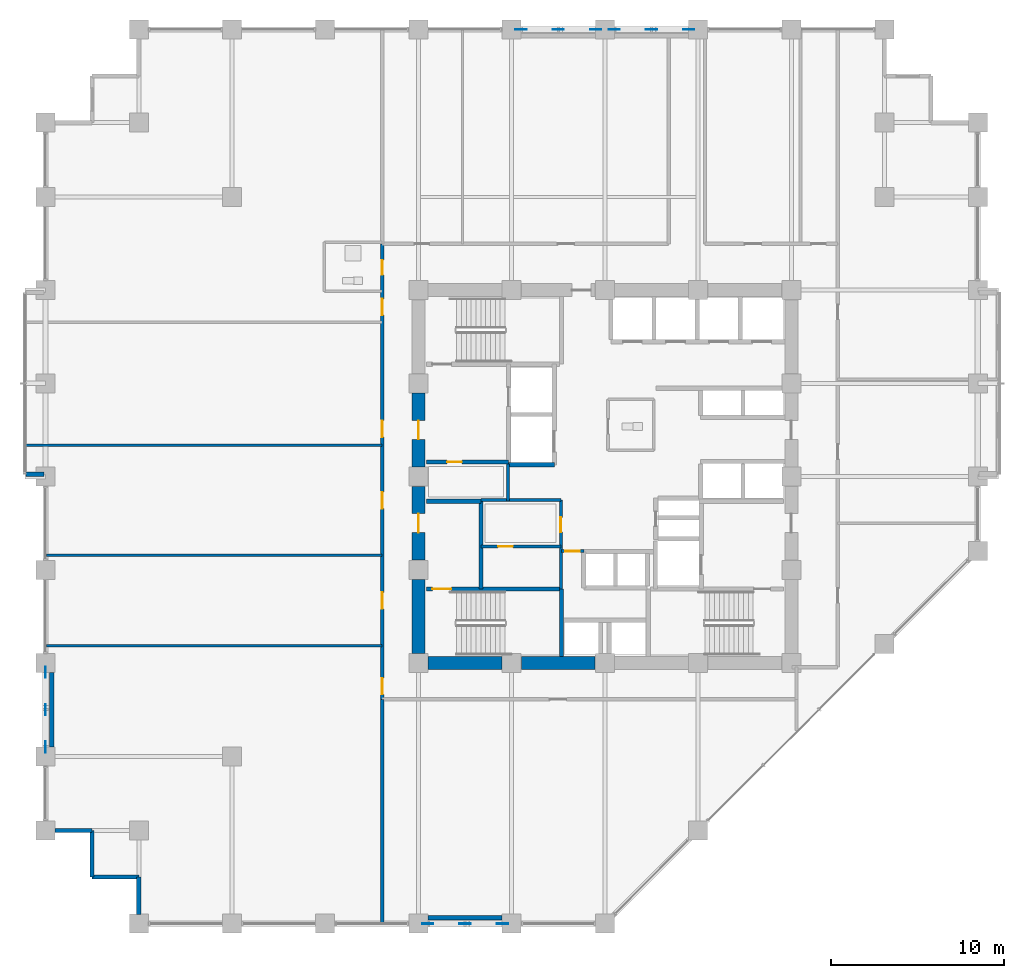
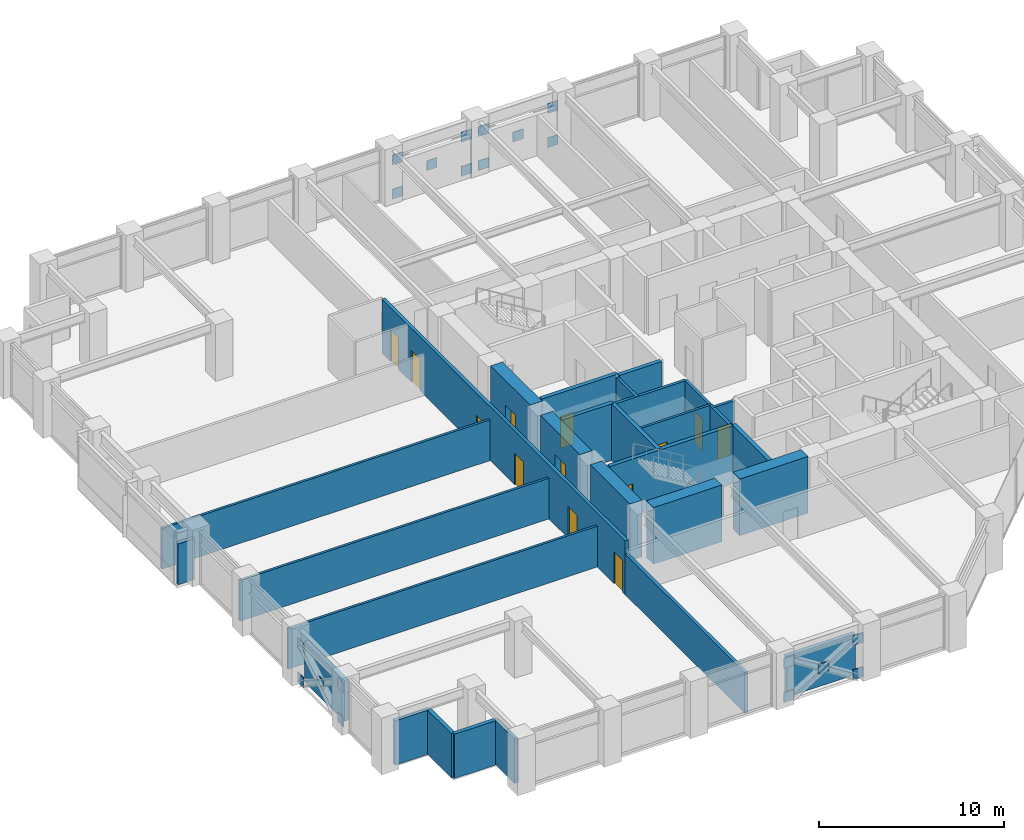
# One storey, part 19 of 25: 28 walls, 20 plates, 13 doors, 13 openings.
"""IFC4 building model written with IfcOpenShell, lengths in metres."""

from ifc_helpers import new_model, si_unit, direction, frame, frame_2d, origin, origin_2d, place, context, subcontext, project, spatial, rectangle, extrude, material, layer, layer_set, type_object, element, fill, save


model = new_model("IFC4")

# Units and contexts
model_context = context("Model", 3, precision=1e-05, world=origin(), true_north=direction((0.0, 1.0)))
body_context = subcontext(model_context, "Body", "Model", "MODEL_VIEW")
ifc_project = project(units=[si_unit("LENGTHUNIT", "METRE"), si_unit("AREAUNIT", "SQUARE_METRE"), si_unit("VOLUMEUNIT", "CUBIC_METRE"), si_unit("PLANEANGLEUNIT", "RADIAN"), si_unit("MASSUNIT", "GRAM", prefix="KILO")], contexts=[model_context])

# Site, building, storey
site_placement = place(None, origin())
site = spatial("IfcSite", under=ifc_project, at=site_placement, CompositionType="ELEMENT")
building_placement = place(site_placement, origin())
building = spatial("IfcBuilding", under=site, at=building_placement, Name="Surkhivell Harbour Commons", CompositionType="ELEMENT")
storey_placement = place(building_placement, frame((0.0, 0.0, 98.25)))
storey = spatial("IfcBuildingStorey", under=building, at=storey_placement, Name="L25", CompositionType="ELEMENT", Elevation=98.25)

# Plates
ifc_material_1 = material(Name="Steel S460", Category="steel")
ifc_layer_1 = layer(ifc_material_1, 0.044921875)
ifc_layer_set_1 = layer_set([ifc_layer_1], Name="Steel S460")
plate_type = type_object("IfcPlateType", Name="PLT-GUS-650", PredefinedType="USERDEFINED", material=ifc_layer_set_1)
for number, where, z_axis, x_axis, name in (
    (1, (-4.864990234375, 25.89990234375, -0.08935546875), (0.0, 0.0, 1.0), (1.0, 0.0, 0.0), "L25 Perimeter Mega-Brace MB- Corner Gusset N-1"),
    (2, (-0.534912109375, 25.89990234375, -0.08935546875), (0.0, 0.0, 1.0), (1.0, 0.0, 0.0), "L25 Perimeter Mega-Brace MB- Corner Gusset N-2"),
    (3, (-4.864990234375, 25.89990234375, 2.170654296875), (0.0, 0.0, 1.0), (1.0, 0.0, 0.0), "L25 Perimeter Mega-Brace MB- Corner Gusset N-3"),
    (4, (-0.534912109375, 25.89990234375, 2.170654296875), (0.0, 0.0, 1.0), (1.0, 0.0, 0.0), "L25 Perimeter Mega-Brace MB- Corner Gusset N-4"),
    (5, (-2.699951171875, 25.89990234375, 1.04052734375), (0.0, 0.0, 1.0), (1.0, 0.0, 0.0), "L25 Perimeter Mega-Brace MB- Central Crossing Gusset N"),
    (6, (0.534912109375, 25.89990234375, -0.08935546875), (0.0, 0.0, 1.0), (1.0, 0.0, 0.0), "L25 Perimeter Mega-Brace MB- Corner Gusset N2-1"),
    (7, (4.864990234375, 25.89990234375, -0.08935546875), (0.0, 0.0, 1.0), (1.0, 0.0, 0.0), "L25 Perimeter Mega-Brace MB- Corner Gusset N2-2"),
    (8, (0.534912109375, 25.89990234375, 2.170654296875), (0.0, 0.0, 1.0), (1.0, 0.0, 0.0), "L25 Perimeter Mega-Brace MB- Corner Gusset N2-3"),
    (9, (4.864990234375, 25.89990234375, 2.170654296875), (0.0, 0.0, 1.0), (1.0, 0.0, 0.0), "L25 Perimeter Mega-Brace MB- Corner Gusset N2-4"),
    (10, (2.699951171875, 25.89990234375, 1.04052734375), (0.0, 0.0, 1.0), (1.0, 0.0, 0.0), "L25 Perimeter Mega-Brace MB- Central Crossing Gusset N2"),
    (11, (-10.264892578125, -25.89990234375, -0.08935546875), (0.0, 0.0, 1.0), (1.0, 0.0, 0.0), "L25 Perimeter Mega-Brace MB- Corner Gusset S-1"),
    (12, (-5.93505859375, -25.89990234375, -0.08935546875), (0.0, 0.0, 1.0), (1.0, 0.0, 0.0), "L25 Perimeter Mega-Brace MB- Corner Gusset S-2"),
    (13, (-10.264892578125, -25.89990234375, 2.170654296875), (0.0, 0.0, 1.0), (1.0, 0.0, 0.0), "L25 Perimeter Mega-Brace MB- Corner Gusset S-3"),
    (14, (-5.93505859375, -25.89990234375, 2.170654296875), (0.0, 0.0, 1.0), (1.0, 0.0, 0.0), "L25 Perimeter Mega-Brace MB- Corner Gusset S-4"),
    (15, (-8.10009765625, -25.89990234375, 1.04052734375), (0.0, 0.0, 1.0), (1.0, 0.0, 0.0), "L25 Perimeter Mega-Brace MB- Central Crossing Gusset S"),
    (16, (-32.39990234375, -15.6650390625, -0.08935546875), (0.0, 0.0, 1.0), (0.0, 1.0, 0.0), "L25 Perimeter Mega-Brace MB- Corner Gusset W-1"),
    (17, (-32.39990234375, -11.3349609375, -0.08935546875), (0.0, 0.0, 1.0), (0.0, 1.0, 0.0), "L25 Perimeter Mega-Brace MB- Corner Gusset W-2"),
    (18, (-32.39990234375, -15.6650390625, 2.170654296875), (0.0, 0.0, 1.0), (0.0, 1.0, 0.0), "L25 Perimeter Mega-Brace MB- Corner Gusset W-3"),
    (19, (-32.39990234375, -11.3349609375, 2.170654296875), (0.0, 0.0, 1.0), (0.0, 1.0, 0.0), "L25 Perimeter Mega-Brace MB- Corner Gusset W-4"),
    (20, (-32.39990234375, -13.5, 1.04052734375), (0.0, 0.0, 1.0), (0.0, 1.0, 0.0), "L25 Perimeter Mega-Brace MB- Central Crossing Gusset W"),
):
    element("IfcPlate", number, at=place(storey_placement, frame(where, z_axis=z_axis, x_axis=x_axis)), inside=storey, type_object=plate_type, Name=name, ObjectType="GUSSET_PLATE", PredefinedType="USERDEFINED", context=body_context, shape_type="SweptSolid", body=[
        extrude(rectangle(XDim=0.64990234375, YDim=0.044921875, at=origin_2d()), origin(), (0.0, 0.0, 1.0), 0.64990234375),
    ])

# Walls
ifc_material_2 = material(Name="Concrete C60/75", Category="concrete")
ifc_layer_2 = layer(ifc_material_2, 0.75)
ifc_layer_set_2 = layer_set([ifc_layer_2], Name="Concrete C60/75")
wall_type_1 = type_object("IfcWallType", Name="WAL-CORE-750", PredefinedType="SHEAR", material=ifc_layer_set_2)
for number, where, z_axis, x_axis, name in (
    (21, (-10.239990234375, -10.800048828125, 0.0), (0.0, 0.0, 1.0), (1.0, 0.0, 0.0), "L25 Core Shear Wall South 1"),
    (22, (-10.800048828125, -10.239990234375, 0.0), (0.0, 0.0, 1.0), (0.0, 1.0, 0.0), "L25 Core Shear Wall West 1"),
    (23, (-4.840087890625, -10.800048828125, 0.0), (0.0, 0.0, 1.0), (1.0, 0.0, 0.0), "L25 Core Shear Wall South 2"),
):
    element("IfcWall", number, at=place(storey_placement, frame(where, z_axis=z_axis, x_axis=x_axis)), inside=storey, type_object=wall_type_1, Name=name, PredefinedType="SHEAR", context=body_context, shape_type="SweptSolid", body=[
        extrude(rectangle(XDim=4.280029296875, YDim=0.75, at=frame_2d((2.14013671875, 0.0))), origin(), (0.0, 0.0, 1.0), 3.75),
    ])

# Wall, opening, door
wall_1_placement = place(storey_placement, frame((-10.800048828125, -4.840087890625, 0.0), z_axis=(0.0, 0.0, 1.0), x_axis=(0.0, 1.0, 0.0)))
wall_1 = element("IfcWall", 24, at=wall_1_placement, inside=storey, type_object=wall_type_1, Name="L25 Core Shear Wall West 2", PredefinedType="SHEAR", context=body_context, shape_type="SweptSolid", body=[
    extrude(rectangle(XDim=4.280029296875, YDim=0.75, at=frame_2d((2.14013671875, 0.0))), origin(), (0.0, 0.0, 1.0), 3.75),
])
opening_1_placement = place(wall_1_placement, frame((1.590087890625, 0.0, 0.0)))
opening_1 = element("IfcOpeningElement", 25, at=opening_1_placement, cuts=wall_1, Name="Opening ID-2", PredefinedType="OPENING", context=body_context, shape_type="SweptSolid", body=[
    extrude(rectangle(XDim=1.10009765625, YDim=2.10009765625, at=frame_2d((0.550048828125, 1.050048828125))), frame((0.0, 0.385009765625, 0.0), z_axis=(0.0, -1.0, 0.0), x_axis=(1.0, 0.0, 0.0)), (0.0, 0.0, 1.0), 0.77001953125),
])
ifc_material_3 = material(Name="Hardwood-veneered fire-rated door leaf", Category="wood")
door_type_1 = type_object("IfcDoorType", Name="DOR-FD60-1100", OperationType="NOTDEFINED", PredefinedType="DOOR", material=ifc_material_3)
door_1_placement = place(opening_1_placement, origin())
door_1 = element("IfcDoor", 26, at=door_1_placement, inside=storey, type_object=door_type_1, Name="L25 Stair 3 Lobby Corridor Door", OperationType="SINGLE_SWING_LEFT", OverallHeight=2.10009765625, OverallWidth=1.10009765625, PredefinedType="DOOR", context=body_context, shape_type="SweptSolid", body=[
    extrude(rectangle(XDim=1.10009765625, YDim=2.10009765625, at=frame_2d((0.550048828125, 1.050048828125))), frame((0.0, 0.02490234375, 0.0), z_axis=(0.0, -1.0, 0.0), x_axis=(1.0, 0.0, 0.0)), (0.0, 0.0, 1.0), 0.050048828125),
])
fill(opening_1, door_1)

wall_2_placement = place(storey_placement, frame((-10.800048828125, 0.56005859375, 0.0), z_axis=(0.0, 0.0, 1.0), x_axis=(0.0, 1.0, 0.0)))
wall_2 = element("IfcWall", 27, at=wall_2_placement, inside=storey, type_object=wall_type_1, Name="L25 Core Shear Wall West 3", PredefinedType="SHEAR", context=body_context, shape_type="SweptSolid", body=[
    extrude(rectangle(XDim=4.280029296875, YDim=0.75, at=frame_2d((2.14013671875, 0.0))), origin(), (0.0, 0.0, 1.0), 3.75),
])
opening_2_placement = place(wall_2_placement, frame((1.590087890625, 0.0, 0.0)))
opening_2 = element("IfcOpeningElement", 28, at=opening_2_placement, cuts=wall_2, Name="Opening ID-1", PredefinedType="OPENING", context=body_context, shape_type="SweptSolid", body=[
    extrude(rectangle(XDim=1.10009765625, YDim=2.10009765625, at=frame_2d((0.550048828125, 1.050048828125))), frame((0.0, 0.385009765625, 0.0), z_axis=(0.0, -1.0, 0.0), x_axis=(1.0, 0.0, 0.0)), (0.0, 0.0, 1.0), 0.77001953125),
])
door_type_2 = type_object("IfcDoorType", Name="DOR-FD120-1100", OperationType="NOTDEFINED", PredefinedType="DOOR", material=ifc_material_3)
door_2_placement = place(opening_2_placement, origin())
door_2 = element("IfcDoor", 29, at=door_2_placement, inside=storey, type_object=door_type_2, Name="L25 Firefighting Lobby 1 Corridor Door", OperationType="SINGLE_SWING_LEFT", OverallHeight=2.10009765625, OverallWidth=1.10009765625, PredefinedType="DOOR", context=body_context, shape_type="SweptSolid", body=[
    extrude(rectangle(XDim=1.10009765625, YDim=2.10009765625, at=frame_2d((0.550048828125, 1.050048828125))), frame((0.0, 0.02490234375, 0.0), z_axis=(0.0, -1.0, 0.0), x_axis=(1.0, 0.0, 0.0)), (0.0, 0.0, 1.0), 0.050048828125),
])
fill(opening_2, door_2)

# Walls
ifc_material_4 = material(Name="Pale-metal insulated precast concrete C45/55", Category="concrete")
ifc_layer_3 = layer(ifc_material_4, 0.260009765625)
ifc_layer_set_3 = layer_set([ifc_layer_3], Name="Pale-metal insulated precast concrete C45/55")
wall_type_2 = type_object("IfcWallType", Name="WAL-EXT-MTL260", PredefinedType="STANDARD", material=ifc_layer_set_3)
wall_3_placement = place(storey_placement, frame((-10.251953125, -25.5400390625, 0.0), z_axis=(0.0, 0.0, 1.0), x_axis=(1.0, 0.0, 0.0)))
element("IfcWall", 30, at=wall_3_placement, inside=storey, type_object=wall_type_2, Name="L25 Braced-Bay Insulated Spandrel Backing S", PredefinedType="STANDARD", context=body_context, shape_type="SweptSolid", body=[
    extrude(rectangle(XDim=4.303955078125, YDim=0.260009765625, at=frame_2d((2.15185546875, 0.0))), origin(), (0.0, 0.0, 1.0), 2.698974609375),
])
wall_4_placement = place(storey_placement, frame((-32.0400390625, -15.652099609375, 0.0), z_axis=(0.0, 0.0, 1.0), x_axis=(0.0, 1.0, 0.0)))
element("IfcWall", 31, at=wall_4_placement, inside=storey, type_object=wall_type_2, Name="L25 Braced-Bay Insulated Spandrel Backing W", PredefinedType="STANDARD", context=body_context, shape_type="SweptSolid", body=[
    extrude(rectangle(XDim=4.30419921875, YDim=0.260009765625, at=frame_2d((2.152099609375, 0.0))), origin(), (0.0, 0.0, 1.0), 2.698974609375),
])
ifc_material_5 = material(Name="Bronze-ochre cassette precast concrete C45/55", Category="concrete")
ifc_layer_4 = layer(ifc_material_5, 0.239990234375)
ifc_layer_set_4 = layer_set([ifc_layer_4], Name="Bronze-ochre cassette precast concrete C45/55")
wall_type_3 = type_object("IfcWallType", Name="WAL-EXT-OCH240", PredefinedType="STANDARD", material=ifc_layer_set_4)
wall_5_placement = place(storey_placement, frame((-33.52001953125, 0.139892578125, 0.0), z_axis=(0.0, 0.0, 1.0), x_axis=(1.0, 0.0, 0.0)))
element("IfcWall", 32, at=wall_5_placement, inside=storey, type_object=wall_type_3, Name="L25 Coloured Box Return Wall 02S", PredefinedType="STANDARD", context=body_context, shape_type="SweptSolid", body=[
    extrude(rectangle(XDim=1.0400390625, YDim=0.239990234375, at=frame_2d((0.52001953125, 0.0))), origin(), (0.0, 0.0, 1.0), 2.698974609375),
])
wall_6_placement = place(storey_placement, frame((-31.85205078125, -20.5, 0.0), z_axis=(0.0, 0.0, 1.0), x_axis=(1.0, 0.0, 0.0)))
element("IfcWall", 33, at=wall_6_placement, inside=storey, type_object=wall_type_3, Name="L25 Serrated Corner Facade Wall 13", PredefinedType="STANDARD", context=body_context, shape_type="SweptSolid", body=[
    extrude(rectangle(XDim=2.152099609375, YDim=0.239990234375, at=frame_2d((1.076171875, 0.0))), origin(), (0.0, 0.0, 1.0), 2.93310546875),
])
for number, where, z_axis, x_axis, name in (
    (34, (-29.699951171875, -20.5, 0.0), (0.0, 0.0, 1.0), (0.0, -1.0, 0.0), "L25 Serrated Corner Facade Wall 14"),
    (35, (-29.699951171875, -23.199951171875, 0.0), (0.0, 0.0, 1.0), (1.0, 0.0, 0.0), "L25 Serrated Corner Facade Wall 15"),
):
    element("IfcWall", number, at=place(storey_placement, frame(where, z_axis=z_axis, x_axis=x_axis)), inside=storey, type_object=wall_type_3, Name=name, PredefinedType="STANDARD", context=body_context, shape_type="SweptSolid", body=[
        extrude(rectangle(XDim=2.699951171875, YDim=0.239990234375, at=frame_2d((1.35009765625, 0.0))), origin(), (0.0, 0.0, 1.0), 2.93310546875),
    ])
wall_7_placement = place(storey_placement, frame((-27.0, -23.199951171875, 0.0), z_axis=(0.0, 0.0, 1.0), x_axis=(0.0, -1.0, 0.0)))
element("IfcWall", 36, at=wall_7_placement, inside=storey, type_object=wall_type_3, Name="L25 Serrated Corner Facade Wall 16", PredefinedType="STANDARD", context=body_context, shape_type="SweptSolid", body=[
    extrude(rectangle(XDim=2.152099609375, YDim=0.239990234375, at=frame_2d((1.076171875, 0.0))), origin(), (0.0, 0.0, 1.0), 2.93310546875),
])

# Wall, opening, door
ifc_material_6 = material(Name="Twin-stud acoustic fireboard partition", Category="other")
ifc_layer_5 = layer(ifc_material_6, 0.14990234375)
ifc_layer_set_5 = layer_set([ifc_layer_5], Name="Twin-stud acoustic fireboard partition")
wall_type_4 = type_object("IfcWallType", Name="WAL-INT-150", PredefinedType="PARTITIONING", material=ifc_layer_set_5)
wall_8_placement = place(storey_placement, frame((-7.179931640625, -4.050048828125, 0.0), z_axis=(0.0, 0.0, 1.0), x_axis=(1.0, 0.0, 0.0)))
wall_8 = element("IfcWall", 37, at=wall_8_placement, inside=storey, type_object=wall_type_4, Name="L25 Core Cut A Partition", PredefinedType="PARTITIONING", context=body_context, shape_type="SweptSolid", body=[
    extrude(rectangle(XDim=4.6298828125, YDim=0.14990234375, at=frame_2d((2.31494140625, 0.0))), origin(), (0.0, 0.0, 1.0), 3.570068359375),
])
opening_3_placement = place(wall_8_placement, frame((1.0, 0.0, 0.0)))
opening_3 = element("IfcOpeningElement", 38, at=opening_3_placement, cuts=wall_8, Name="Opening ID-6", PredefinedType="OPENING", context=body_context, shape_type="SweptSolid", body=[
    extrude(rectangle(XDim=0.85009765625, YDim=2.10009765625, at=frame_2d((0.425048828125, 1.050048828125))), frame((0.0, 0.0849609375, 0.0), z_axis=(0.0, -1.0, 0.0), x_axis=(1.0, 0.0, 0.0)), (0.0, 0.0, 1.0), 0.169921875),
])
door_type_3 = type_object("IfcDoorType", Name="DOR-FD30-850", OperationType="NOTDEFINED", PredefinedType="DOOR", material=ifc_material_3)
door_3_placement = place(opening_3_placement, origin())
door_3 = element("IfcDoor", 39, at=door_3_placement, inside=storey, type_object=door_type_3, Name="L25 Linen Room Door", OperationType="SINGLE_SWING_RIGHT", OverallHeight=2.10009765625, OverallWidth=0.85009765625, PredefinedType="DOOR", context=body_context, shape_type="SweptSolid", body=[
    extrude(rectangle(XDim=0.85009765625, YDim=2.10009765625, at=frame_2d((0.425048828125, 1.050048828125))), frame((0.0, 0.02490234375, 0.0), z_axis=(0.0, -1.0, 0.0), x_axis=(1.0, 0.0, 0.0)), (0.0, 0.0, 1.0), 0.050048828125),
])
fill(opening_3, door_3)

# Walls
wall_9_placement = place(storey_placement, frame((-32.340087890625, -4.56005859375, 0.0), z_axis=(0.0, 0.0, 1.0), x_axis=(1.0, 0.0, 0.0)))
element("IfcWall", 40, at=wall_9_placement, inside=storey, type_object=wall_type_4, Name="L25 West Partition BDP1", PredefinedType="PARTITIONING", context=body_context, shape_type="SweptSolid", body=[
    extrude(rectangle(XDim=19.440185546875, YDim=0.14990234375, at=frame_2d((9.72021484375, 0.0))), origin(), (0.0, 0.0, 1.0), 2.698974609375),
])
wall_10_placement = place(storey_placement, frame((-33.5400390625, 1.81005859375, 0.0), z_axis=(0.0, 0.0, 1.0), x_axis=(1.0, 0.0, 0.0)))
element("IfcWall", 41, at=wall_10_placement, inside=storey, type_object=wall_type_4, Name="L25 West Partition BDP2", PredefinedType="PARTITIONING", context=body_context, shape_type="SweptSolid", body=[
    extrude(rectangle(XDim=20.64013671875, YDim=0.14990234375, at=frame_2d((10.320068359375, 0.0))), origin(), (0.0, 0.0, 1.0), 2.698974609375),
])
wall_11_placement = place(storey_placement, frame((-32.340087890625, -9.800048828125, 0.0), z_axis=(0.0, 0.0, 1.0), x_axis=(1.0, 0.0, 0.0)))
element("IfcWall", 42, at=wall_11_placement, inside=storey, type_object=wall_type_4, Name="L25 West Partition PBOT", PredefinedType="PARTITIONING", context=body_context, shape_type="SweptSolid", body=[
    extrude(rectangle(XDim=19.440185546875, YDim=0.14990234375, at=frame_2d((9.72021484375, 0.0))), origin(), (0.0, 0.0, 1.0), 2.698974609375),
])

# Wall, opening, door
ifc_material_7 = material(Name="High-density acoustic blockwork fire partition", Category="masonry")
ifc_layer_6 = layer(ifc_material_7, 0.175048828125)
ifc_layer_set_6 = layer_set([ifc_layer_6], Name="High-density acoustic blockwork fire partition")
wall_type_5 = type_object("IfcWallType", Name="WAL-INT-175", PredefinedType="PARTITIONING", material=ifc_layer_set_6)
wall_12_placement = place(storey_placement, frame((-2.550048828125, -6.510009765625, 0.0), z_axis=(0.0, 0.0, 1.0), x_axis=(0.0, 1.0, 0.0)))
wall_12 = element("IfcWall", 43, at=wall_12_placement, inside=storey, type_object=wall_type_5, Name="L25 Core Service Bay East Wall", PredefinedType="PARTITIONING", context=body_context, shape_type="SweptSolid", body=[
    extrude(rectangle(XDim=5.159912109375, YDim=0.175048828125, at=frame_2d((2.580078125, 0.0))), origin(), (0.0, 0.0, 1.0), 3.570068359375),
])
opening_4_placement = place(wall_12_placement, frame((3.300048828125, 0.0, 0.0)))
opening_4 = element("IfcOpeningElement", 44, at=opening_4_placement, cuts=wall_12, Name="Opening ID-6", PredefinedType="OPENING", context=body_context, shape_type="SweptSolid", body=[
    extrude(rectangle(XDim=0.85009765625, YDim=2.10009765625, at=frame_2d((0.425048828125, 1.050048828125))), frame((0.0, 0.097412109375, 0.0), z_axis=(0.0, -1.0, 0.0), x_axis=(1.0, 0.0, 0.0)), (0.0, 0.0, 1.0), 0.195068359375),
])
door_4_placement = place(opening_4_placement, origin())
door_4 = element("IfcDoor", 45, at=door_4_placement, inside=storey, type_object=door_type_3, Name="L25 Core Reading Alcove Door", OperationType="SINGLE_SWING_LEFT", OverallHeight=2.10009765625, OverallWidth=0.85009765625, PredefinedType="DOOR", context=body_context, shape_type="SweptSolid", body=[
    extrude(rectangle(XDim=0.85009765625, YDim=2.10009765625, at=frame_2d((0.425048828125, 1.050048828125))), frame((0.0, 0.02490234375, 0.0), z_axis=(0.0, -1.0, 0.0), x_axis=(1.0, 0.0, 0.0)), (0.0, 0.0, 1.0), 0.050048828125),
])
fill(opening_4, door_4)

# Walls
wall_13_placement = place(storey_placement, frame((-7.179931640625, -1.35009765625, 0.0), z_axis=(0.0, 0.0, 1.0), x_axis=(1.0, 0.0, 0.0)))
element("IfcWall", 46, at=wall_13_placement, inside=storey, type_object=wall_type_5, Name="L25 Core Service Bay North Wall", PredefinedType="PARTITIONING", context=body_context, shape_type="SweptSolid", body=[
    extrude(rectangle(XDim=4.6298828125, YDim=0.175048828125, at=frame_2d((2.31494140625, 0.0))), origin(), (0.0, 0.0, 1.0), 3.570068359375),
])
wall_14_placement = place(storey_placement, frame((-5.6201171875, -1.419921875, 0.0), z_axis=(0.0, 0.0, 1.0), x_axis=(0.0, 1.0, 0.0)))
element("IfcWall", 47, at=wall_14_placement, inside=storey, type_object=wall_type_5, Name="L25 West Core Bay East Wall", PredefinedType="PARTITIONING", context=body_context, shape_type="SweptSolid", body=[
    extrude(rectangle(XDim=2.139892578125, YDim=0.175048828125, at=frame_2d((1.06982421875, 0.0))), origin(), (0.0, 0.0, 1.0), 3.570068359375),
])

# Wall, opening, door
wall_15_placement = place(storey_placement, frame((-2.52001953125, -4.320068359375, 0.0), z_axis=(0.0, 0.0, 1.0), x_axis=(1.0, 0.0, 0.0)))
wall_15 = element("IfcWall", 48, at=wall_15_placement, inside=storey, type_object=wall_type_5, Name="L25 High-Rise Lobby North Portal Wall", PredefinedType="PARTITIONING", context=body_context, shape_type="SweptSolid", body=[
    extrude(rectangle(XDim=1.300048828125, YDim=0.175048828125, at=frame_2d((0.64990234375, 0.0))), origin(), (0.0, 0.0, 1.0), 3.570068359375),
])
opening_5_placement = place(wall_15_placement, frame((0.219970703125, 0.0, 0.0)))
opening_5 = element("IfcOpeningElement", 49, at=opening_5_placement, cuts=wall_15, Name="Opening ID-6", PredefinedType="OPENING", context=body_context, shape_type="SweptSolid", body=[
    extrude(rectangle(XDim=0.85009765625, YDim=2.10009765625, at=frame_2d((0.425048828125, 1.050048828125))), frame((0.0, 0.097412109375, 0.0), z_axis=(0.0, -1.0, 0.0), x_axis=(1.0, 0.0, 0.0)), (0.0, 0.0, 1.0), 0.195068359375),
])
door_5_placement = place(opening_5_placement, origin())
door_5 = element("IfcDoor", 50, at=door_5_placement, inside=storey, type_object=door_type_3, Name="L25 High-Rise Lift Lobby North Door", OperationType="SINGLE_SWING_LEFT", OverallHeight=2.10009765625, OverallWidth=0.85009765625, PredefinedType="DOOR", context=body_context, shape_type="SweptSolid", body=[
    extrude(rectangle(XDim=0.85009765625, YDim=2.10009765625, at=frame_2d((0.425048828125, 1.050048828125))), frame((0.0, 0.02490234375, 0.0), z_axis=(0.0, -1.0, 0.0), x_axis=(1.0, 0.0, 0.0)), (0.0, 0.0, 1.0), 0.050048828125),
])
fill(opening_5, door_5)

# Wall
ifc_material_8 = material(Name="Autoclaved aerated concrete blockwork and fire plaster", Category="masonry")
ifc_layer_7 = layer(ifc_material_8, 0.199951171875)
ifc_layer_set_7 = layer_set([ifc_layer_7], Name="Autoclaved aerated concrete blockwork and fire plaster")
wall_type_6 = type_object("IfcWallType", Name="WAL-INT-200", PredefinedType="PARTITIONING", material=ifc_layer_set_7)
wall_16_placement = place(storey_placement, frame((-12.89990234375, -25.840087890625, 0.0), z_axis=(0.0, 0.0, 1.0), x_axis=(0.0, 1.0, 0.0)))
element("IfcWall", 51, at=wall_16_placement, inside=storey, type_object=wall_type_6, Name="L25 South-West Wing Corner Divider", PredefinedType="PARTITIONING", context=body_context, shape_type="SweptSolid", body=[
    extrude(rectangle(XDim=12.940185546875, YDim=0.199951171875, at=frame_2d((6.47021484375, 0.0))), origin(), (0.0, 0.0, 1.0), 2.698974609375),
])

# Wall, openings, doors
wall_17_placement = place(storey_placement, frame((-12.89990234375, -12.89990234375, 0.0), z_axis=(0.0, 0.0, 1.0), x_axis=(0.0, 1.0, 0.0)))
wall_17 = element("IfcWall", 52, at=wall_17_placement, inside=storey, type_object=wall_type_6, Name="L25 Corridor West Wall", PredefinedType="PARTITIONING", context=body_context, shape_type="SweptSolid", body=[
    extrude(rectangle(XDim=26.3798828125, YDim=0.199951171875, at=frame_2d((13.18994140625, 0.0))), origin(), (0.0, 0.0, 1.0), 3.570068359375),
])
opening_6_placement = place(wall_17_placement, frame((0.280029296875, 0.0, 0.0)))
opening_6 = element("IfcOpeningElement", 53, at=opening_6_placement, cuts=wall_17, Name="Opening ID-4", PredefinedType="OPENING", context=body_context, shape_type="SweptSolid", body=[
    extrude(rectangle(XDim=0.949951171875, YDim=2.10009765625, at=frame_2d((0.47509765625, 1.050048828125))), frame((0.0, 0.10986328125, 0.0), z_axis=(0.0, -1.0, 0.0), x_axis=(1.0, 0.0, 0.0)), (0.0, 0.0, 1.0), 0.219970703125),
])
opening_7_placement = place(wall_17_placement, frame((24.5849609375, 0.0, 0.0)))
opening_7 = element("IfcOpeningElement", 54, at=opening_7_placement, cuts=wall_17, Name="Opening ID-6", PredefinedType="OPENING", context=body_context, shape_type="SweptSolid", body=[
    extrude(rectangle(XDim=0.85009765625, YDim=2.10009765625, at=frame_2d((0.425048828125, 1.050048828125))), frame((0.0, 0.10986328125, 0.0), z_axis=(0.0, -1.0, 0.0), x_axis=(1.0, 0.0, 0.0)), (0.0, 0.0, 1.0), 0.219970703125),
])
opening_8_placement = place(wall_17_placement, frame((22.25, 0.0, 0.0)))
opening_8 = element("IfcOpeningElement", 55, at=opening_8_placement, cuts=wall_17, Name="Opening ID-4", PredefinedType="OPENING", context=body_context, shape_type="SweptSolid", body=[
    extrude(rectangle(XDim=0.949951171875, YDim=2.10009765625, at=frame_2d((0.47509765625, 1.050048828125))), frame((0.0, 0.10986328125, 0.0), z_axis=(0.0, -1.0, 0.0), x_axis=(1.0, 0.0, 0.0)), (0.0, 0.0, 1.0), 0.219970703125),
])
opening_9_placement = place(wall_17_placement, frame((5.239990234375, 0.0, 0.0)))
opening_9 = element("IfcOpeningElement", 56, at=opening_9_placement, cuts=wall_17, Name="Opening ID-4", PredefinedType="OPENING", context=body_context, shape_type="SweptSolid", body=[
    extrude(rectangle(XDim=0.949951171875, YDim=2.10009765625, at=frame_2d((0.47509765625, 1.050048828125))), frame((0.0, 0.10986328125, 0.0), z_axis=(0.0, -1.0, 0.0), x_axis=(1.0, 0.0, 0.0)), (0.0, 0.0, 1.0), 0.219970703125),
])
opening_10_placement = place(wall_17_placement, frame((11.044921875, 0.0, 0.0)))
opening_10 = element("IfcOpeningElement", 57, at=opening_10_placement, cuts=wall_17, Name="Opening ID-4", PredefinedType="OPENING", context=body_context, shape_type="SweptSolid", body=[
    extrude(rectangle(XDim=0.949951171875, YDim=2.10009765625, at=frame_2d((0.47509765625, 1.050048828125))), frame((0.0, 0.10986328125, 0.0), z_axis=(0.0, -1.0, 0.0), x_axis=(1.0, 0.0, 0.0)), (0.0, 0.0, 1.0), 0.219970703125),
])
opening_11_placement = place(wall_17_placement, frame((15.1904296875, 0.0, 0.0)))
opening_11 = element("IfcOpeningElement", 58, at=opening_11_placement, cuts=wall_17, Name="Opening ID-4", PredefinedType="OPENING", context=body_context, shape_type="SweptSolid", body=[
    extrude(rectangle(XDim=0.949951171875, YDim=2.10009765625, at=frame_2d((0.47509765625, 1.050048828125))), frame((0.0, 0.10986328125, 0.0), z_axis=(0.0, -1.0, 0.0), x_axis=(1.0, 0.0, 0.0)), (0.0, 0.0, 1.0), 0.219970703125),
])
door_6_placement = place(opening_7_placement, origin())
door_6 = element("IfcDoor", 59, at=door_6_placement, inside=storey, type_object=door_type_3, Name="L25 Communal Shower Bathroom West Door", OperationType="SINGLE_SWING_LEFT", OverallHeight=2.10009765625, OverallWidth=0.85009765625, PredefinedType="DOOR", context=body_context, shape_type="SweptSolid", body=[
    extrude(rectangle(XDim=0.85009765625, YDim=2.10009765625, at=frame_2d((0.425048828125, 1.050048828125))), frame((0.0, 0.02490234375, 0.0), z_axis=(0.0, -1.0, 0.0), x_axis=(1.0, 0.0, 0.0)), (0.0, 0.0, 1.0), 0.050048828125),
])
fill(opening_7, door_6)
door_type_4 = type_object("IfcDoorType", Name="DOR-FD60-950", OperationType="NOTDEFINED", PredefinedType="DOOR", material=ifc_material_3)
door_7_placement = place(opening_6_placement, origin())
door_7 = element("IfcDoor", 60, at=door_7_placement, inside=storey, type_object=door_type_4, Name="L25 Shared Communal Kitchen West Door", OperationType="SINGLE_SWING_RIGHT", OverallHeight=2.10009765625, OverallWidth=0.949951171875, PredefinedType="DOOR", context=body_context, shape_type="SweptSolid", body=[
    extrude(rectangle(XDim=0.949951171875, YDim=2.10009765625, at=frame_2d((0.47509765625, 1.050048828125))), frame((0.0, 0.02490234375, 0.0), z_axis=(0.0, -1.0, 0.0), x_axis=(1.0, 0.0, 0.0)), (0.0, 0.0, 1.0), 0.050048828125),
])
fill(opening_6, door_7)
door_8_placement = place(opening_8_placement, origin())
door_8 = element("IfcDoor", 61, at=door_8_placement, inside=storey, type_object=door_type_4, Name="L25 Academic Reading Commons West Door", OperationType="SINGLE_SWING_RIGHT", OverallHeight=2.10009765625, OverallWidth=0.949951171875, PredefinedType="DOOR", context=body_context, shape_type="SweptSolid", body=[
    extrude(rectangle(XDim=0.949951171875, YDim=2.10009765625, at=frame_2d((0.47509765625, 1.050048828125))), frame((0.0, 0.02490234375, 0.0), z_axis=(0.0, -1.0, 0.0), x_axis=(1.0, 0.0, 0.0)), (0.0, 0.0, 1.0), 0.050048828125),
])
fill(opening_8, door_8)
door_9_placement = place(opening_9_placement, origin())
door_9 = element("IfcDoor", 62, at=door_9_placement, inside=storey, type_object=door_type_4, Name="L25 Hostel Cluster Bedroom 1 West Door", OperationType="SINGLE_SWING_LEFT", OverallHeight=2.10009765625, OverallWidth=0.949951171875, PredefinedType="DOOR", context=body_context, shape_type="SweptSolid", body=[
    extrude(rectangle(XDim=0.949951171875, YDim=2.10009765625, at=frame_2d((0.47509765625, 1.050048828125))), frame((0.0, 0.02490234375, 0.0), z_axis=(0.0, -1.0, 0.0), x_axis=(1.0, 0.0, 0.0)), (0.0, 0.0, 1.0), 0.050048828125),
])
fill(opening_9, door_9)
door_10_placement = place(opening_10_placement, origin())
door_10 = element("IfcDoor", 63, at=door_10_placement, inside=storey, type_object=door_type_4, Name="L25 Co-Living Dormitory Bedroom 2 West Door", OperationType="SINGLE_SWING_RIGHT", OverallHeight=2.10009765625, OverallWidth=0.949951171875, PredefinedType="DOOR", context=body_context, shape_type="SweptSolid", body=[
    extrude(rectangle(XDim=0.949951171875, YDim=2.10009765625, at=frame_2d((0.47509765625, 1.050048828125))), frame((0.0, 0.02490234375, 0.0), z_axis=(0.0, -1.0, 0.0), x_axis=(1.0, 0.0, 0.0)), (0.0, 0.0, 1.0), 0.050048828125),
])
fill(opening_10, door_10)
door_11_placement = place(opening_11_placement, origin())
door_11 = element("IfcDoor", 64, at=door_11_placement, inside=storey, type_object=door_type_4, Name="L25 Hostel Cluster Bedroom 3 West Door", OperationType="SINGLE_SWING_LEFT", OverallHeight=2.10009765625, OverallWidth=0.949951171875, PredefinedType="DOOR", context=body_context, shape_type="SweptSolid", body=[
    extrude(rectangle(XDim=0.949951171875, YDim=2.10009765625, at=frame_2d((0.47509765625, 1.050048828125))), frame((0.0, 0.02490234375, 0.0), z_axis=(0.0, -1.0, 0.0), x_axis=(1.0, 0.0, 0.0)), (0.0, 0.0, 1.0), 0.050048828125),
])
fill(opening_11, door_11)

# Wall, opening, door
ifc_material_9 = material(Name="Concrete C50/60", Category="concrete")
ifc_layer_8 = layer(ifc_material_9, 0.25)
ifc_layer_set_8 = layer_set([ifc_layer_8], Name="Concrete C50/60")
wall_type_7 = type_object("IfcWallType", Name="WAL-SHAFT-250", PredefinedType="SHEAR", material=ifc_layer_set_8)
wall_18_placement = place(storey_placement, frame((-10.340087890625, 0.85009765625, 0.0), z_axis=(0.0, 0.0, 1.0), x_axis=(1.0, 0.0, 0.0)))
wall_18 = element("IfcWall", 65, at=wall_18_placement, inside=storey, type_object=wall_type_7, Name="L25 Firefighting Lobby 1 South Wall", PredefinedType="SHEAR", context=body_context, shape_type="SweptSolid", body=[
    extrude(rectangle(XDim=4.760009765625, YDim=0.25, at=frame_2d((2.3798828125, 0.0))), origin(), (0.0, 0.0, 1.0), 3.75),
])
opening_12_placement = place(wall_18_placement, frame((1.199951171875, 0.0, 0.0)))
opening_12 = element("IfcOpeningElement", 66, at=opening_12_placement, cuts=wall_18, Name="Opening ID-6", PredefinedType="OPENING", context=body_context, shape_type="SweptSolid", body=[
    extrude(rectangle(XDim=0.85009765625, YDim=2.10009765625, at=frame_2d((0.425048828125, 1.050048828125))), frame((0.0, 0.135009765625, 0.0), z_axis=(0.0, -1.0, 0.0), x_axis=(1.0, 0.0, 0.0)), (0.0, 0.0, 1.0), 0.27001953125),
])
door_12_placement = place(opening_12_placement, origin())
door_12 = element("IfcDoor", 67, at=door_12_placement, inside=storey, type_object=door_type_3, Name="L25 West Quiet Study Door", OperationType="SINGLE_SWING_RIGHT", OverallHeight=2.10009765625, OverallWidth=0.85009765625, PredefinedType="DOOR", context=body_context, shape_type="SweptSolid", body=[
    extrude(rectangle(XDim=0.85009765625, YDim=2.10009765625, at=frame_2d((0.425048828125, 1.050048828125))), frame((0.0, 0.02490234375, 0.0), z_axis=(0.0, -1.0, 0.0), x_axis=(1.0, 0.0, 0.0)), (0.0, 0.0, 1.0), 0.050048828125),
])
fill(opening_12, door_12)

# Walls
wall_19_placement = place(storey_placement, frame((-2.510009765625, -10.425048828125, 0.0), z_axis=(0.0, 0.0, 1.0), x_axis=(0.0, 1.0, 0.0)))
element("IfcWall", 68, at=wall_19_placement, inside=storey, type_object=wall_type_7, Name="L25 Stair ST3 East Shear Wall", PredefinedType="SHEAR", context=body_context, shape_type="SweptSolid", body=[
    extrude(rectangle(XDim=3.9150390625, YDim=0.25, at=frame_2d((1.95751953125, 0.0))), origin(), (0.0, 0.0, 1.0), 3.75),
])
wall_20_placement = place(storey_placement, frame((-7.179931640625, -6.510009765625, 0.0), z_axis=(0.0, 0.0, 1.0), x_axis=(0.0, 1.0, 0.0)))
element("IfcWall", 69, at=wall_20_placement, inside=storey, type_object=wall_type_7, Name="L25 Stair 3 Lobby East Wall", PredefinedType="SHEAR", context=body_context, shape_type="SweptSolid", body=[
    extrude(rectangle(XDim=5.090087890625, YDim=0.25, at=frame_2d((2.544921875, 0.0))), origin(), (0.0, 0.0, 1.0), 3.75),
])
wall_21_placement = place(storey_placement, frame((-10.340087890625, -1.419921875, 0.0), z_axis=(0.0, 0.0, 1.0), x_axis=(1.0, 0.0, 0.0)))
element("IfcWall", 70, at=wall_21_placement, inside=storey, type_object=wall_type_7, Name="L25 Stair 3 Lobby North Wall", PredefinedType="SHEAR", context=body_context, shape_type="SweptSolid", body=[
    extrude(rectangle(XDim=3.16015625, YDim=0.25, at=frame_2d((1.580078125, 0.0))), origin(), (0.0, 0.0, 1.0), 3.75),
])

# Wall, opening, door
wall_22_placement = place(storey_placement, frame((-10.340087890625, -6.510009765625, 0.0), z_axis=(0.0, 0.0, 1.0), x_axis=(1.0, 0.0, 0.0)))
wall_22 = element("IfcWall", 71, at=wall_22_placement, inside=storey, type_object=wall_type_7, Name="L25 Stair ST3 North Shear Wall", PredefinedType="SHEAR", context=body_context, shape_type="SweptSolid", body=[
    extrude(rectangle(XDim=7.7001953125, YDim=0.25, at=frame_2d((3.85009765625, 0.0))), origin(), (0.0, 0.0, 1.0), 3.75),
])
opening_13_placement = place(wall_22_placement, frame((0.35009765625, 0.0, 0.0)))
opening_13 = element("IfcOpeningElement", 72, at=opening_13_placement, cuts=wall_22, Name="Opening ID-2", PredefinedType="OPENING", context=body_context, shape_type="SweptSolid", body=[
    extrude(rectangle(XDim=1.10009765625, YDim=2.10009765625, at=frame_2d((0.550048828125, 1.050048828125))), frame((0.0, 0.135009765625, 0.0), z_axis=(0.0, -1.0, 0.0), x_axis=(1.0, 0.0, 0.0)), (0.0, 0.0, 1.0), 0.27001953125),
])
door_13_placement = place(opening_13_placement, origin())
door_13 = element("IfcDoor", 73, at=door_13_placement, inside=storey, type_object=door_type_1, Name="L25 Stair ST3 Exit Door", OperationType="SINGLE_SWING_RIGHT", OverallHeight=2.10009765625, OverallWidth=1.10009765625, PredefinedType="DOOR", context=body_context, shape_type="SweptSolid", body=[
    extrude(rectangle(XDim=1.10009765625, YDim=2.10009765625, at=frame_2d((0.550048828125, 1.050048828125))), frame((0.0, 0.02490234375, 0.0), z_axis=(0.0, -1.0, 0.0), x_axis=(1.0, 0.0, 0.0)), (0.0, 0.0, 1.0), 0.050048828125),
])
fill(opening_13, door_13)

# Wall
wall_23_placement = place(storey_placement, frame((-5.580078125, 0.679931640625, 0.0), z_axis=(0.0, 0.0, 1.0), x_axis=(1.0, 0.0, 0.0)))
element("IfcWall", 74, at=wall_23_placement, inside=storey, type_object=wall_type_7, Name="L25 SVL1 South Shaft Wall", PredefinedType="SHEAR", context=body_context, shape_type="SweptSolid", body=[
    extrude(rectangle(XDim=2.650146484375, YDim=0.25, at=frame_2d((1.3251953125, 0.0))), origin(), (0.0, 0.0, 1.0), 3.75),
])

save(model, "model.ifc")
